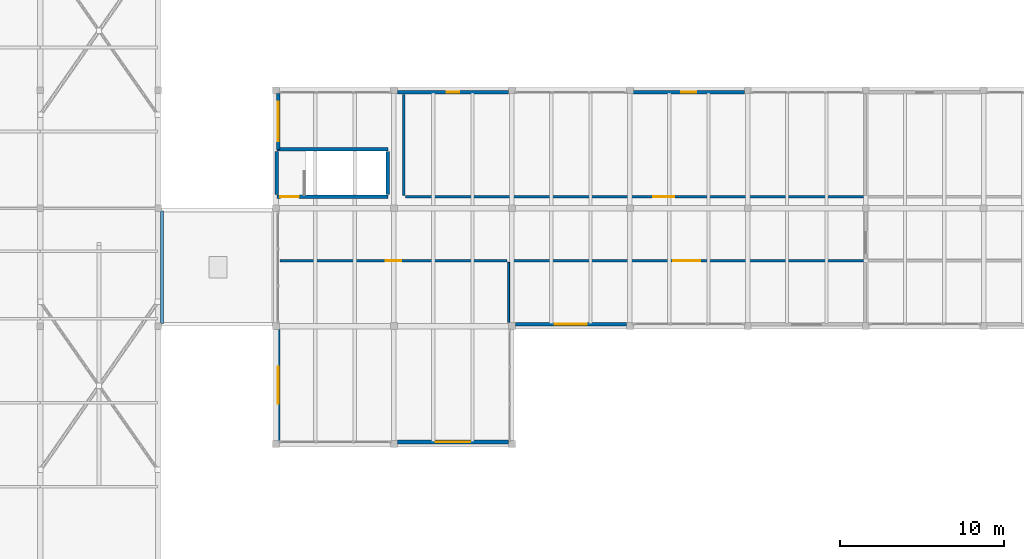
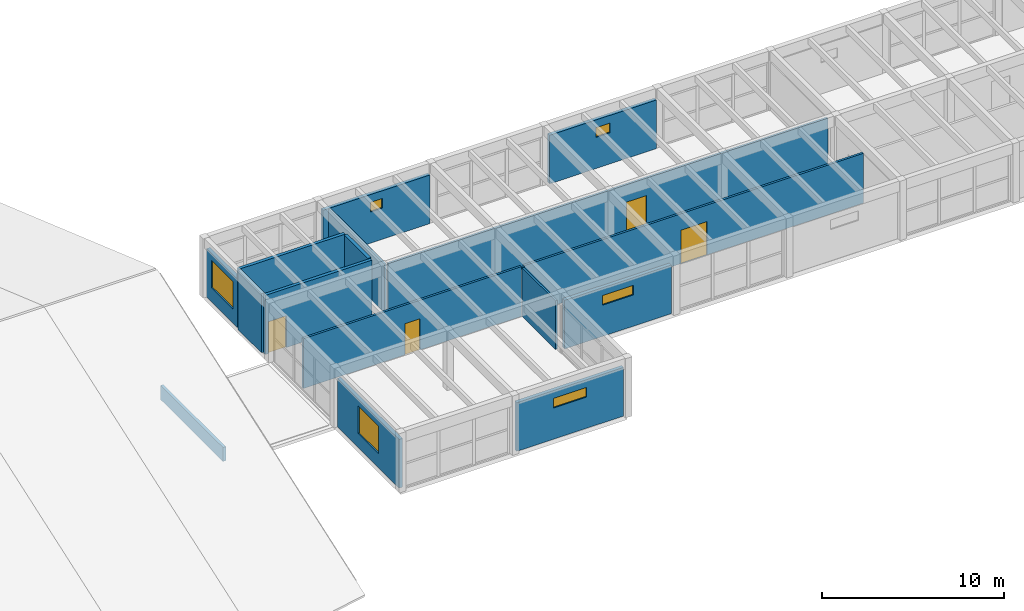
# One storey, part 55 of 68: 16 walls, 6 windows, 4 doors, 10 openings.
"""IFC4 building model written with IfcOpenShell, lengths in metres."""

from ifc_helpers import new_model, si_unit, direction, frame, frame_2d, origin, place, context, subcontext, project, spatial, rectangle, extrude, material, layer, layer_set, type_object, element, fill, save


model = new_model("IFC4")

# Units and contexts
model_context = context("Model", 3, precision=1e-05, world=origin(), true_north=direction((0.0, 1.0)))
body_context = subcontext(model_context, "Body", "Model", "MODEL_VIEW")
ifc_project = project(units=[si_unit("LENGTHUNIT", "METRE"), si_unit("AREAUNIT", "SQUARE_METRE"), si_unit("VOLUMEUNIT", "CUBIC_METRE"), si_unit("PLANEANGLEUNIT", "RADIAN"), si_unit("MASSUNIT", "GRAM", prefix="KILO")], contexts=[model_context])

# Site, building, storey
site_placement = place(None, origin())
site = spatial("IfcSite", under=ifc_project, at=site_placement, CompositionType="ELEMENT")
building_placement = place(site_placement, origin())
building = spatial("IfcBuilding", under=site, at=building_placement, Name="Bramvelor Terrace Health Centre", CompositionType="ELEMENT")
storey_placement = place(building_placement, frame((0.0, 0.0, 9.300048828125)))
storey = spatial("IfcBuildingStorey", under=building, at=storey_placement, Name="L03", CompositionType="ELEMENT", Elevation=9.300048828125)

# Walls
ifc_material_1 = material(Name="Acoustic clinical partition board", Category="gypsum")
ifc_layer_1 = layer(ifc_material_1, 0.1201171875)
ifc_layer_set_1 = layer_set([ifc_layer_1], Name="Acoustic clinical partition board")
wall_type_1 = type_object("IfcWallType", Name="WL-CLN-120", PredefinedType="PARTITIONING", material=ifc_layer_set_1)
wall_1_placement = place(storey_placement, frame((115.0, 54.300048828125, 0.0), z_axis=(0.0, 0.0, 1.0), x_axis=(0.0, -1.0, 0.0)))
element("IfcWall", 1, at=wall_1_placement, inside=storey, type_object=wall_type_1, Name="L03 Interior Partition 245", PredefinedType="PARTITIONING", context=body_context, shape_type="SweptSolid", body=[
    extrude(rectangle(XDim=3.670654296875, YDim=0.1201171875, at=frame_2d((1.83544921875, 0.0))), origin(), (0.0, 0.0, 1.0), 3.27001953125),
])
ifc_material_2 = material(Name="Acoustic clinical partition board", Category="gypsum")
ifc_layer_2 = layer(ifc_material_2, 0.1298828125)
ifc_layer_set_2 = layer_set([ifc_layer_2], Name="Acoustic clinical partition board")
wall_type_2 = type_object("IfcWallType", Name="WL-CLN-130", PredefinedType="PARTITIONING", material=ifc_layer_set_2)
wall_2_placement = place(storey_placement, frame((108.60009765625, 58.39208984375, 0.0), z_axis=(0.0, 0.0, 1.0), x_axis=(0.0, 1.0, 0.0)))
element("IfcWall", 2, at=wall_2_placement, inside=storey, type_object=wall_type_2, Name="L03 Interior Partition 250", PredefinedType="PARTITIONING", context=body_context, shape_type="SweptSolid", body=[
    extrude(rectangle(XDim=6.157958984375, YDim=0.1298828125, at=frame_2d((3.0791015625, 0.0))), origin(), (0.0, 0.0, 1.0), 3.27001953125),
])

# Wall, opening, door
ifc_material_3 = material(Name="Fire-rated gypsum and mineral wool", Category="gypsum")
ifc_layer_3 = layer(ifc_material_3, 0.139892578125)
ifc_layer_set_3 = layer_set([ifc_layer_3], Name="Fire-rated gypsum and mineral wool")
wall_type_3 = type_object("IfcWallType", Name="WL-COR-140", PredefinedType="PARTITIONING", material=ifc_layer_set_3)
wall_3_placement = place(storey_placement, frame((101.030029296875, 54.389892578125, 0.0), z_axis=(0.0, 0.0, 1.0), x_axis=(1.0, 0.0, 0.0)))
wall_3 = element("IfcWall", 3, at=wall_3_placement, inside=storey, type_object=wall_type_3, Name="L03 Interior Partition 244", PredefinedType="PARTITIONING", context=body_context, shape_type="SweptSolid", body=[
    extrude(rectangle(XDim=13.8798828125, YDim=0.139892578125, at=frame_2d((6.93994140625, 0.0))), origin(), (0.0, 0.0, 1.0), 3.349853515625),
])
opening_1_placement = place(wall_3_placement, frame((6.469970703125, 0.0, 0.0)))
opening_1 = element("IfcOpeningElement", 4, at=opening_1_placement, cuts=wall_3, Name="Opening FD-08", PredefinedType="OPENING", context=body_context, shape_type="SweptSolid", body=[
    extrude(rectangle(XDim=0.93994140625, YDim=2.10009765625, at=frame_2d((0.469970703125, 1.050048828125))), frame((0.0, 0.079833984375, 0.0), z_axis=(0.0, -1.0, 0.0), x_axis=(1.0, 0.0, 0.0)), (0.0, 0.0, 1.0), 0.159912109375),
])
ifc_material_4 = material(Name="Fire-rated steel and vision panel", Category="steel")
door_type_1 = type_object("IfcDoorType", Name="DR-FD60-094", OperationType="NOTDEFINED", PredefinedType="DOOR", material=ifc_material_4)
door_1_placement = place(opening_1_placement, origin())
door_1 = element("IfcDoor", 5, at=door_1_placement, inside=storey, type_object=door_type_1, Name="L03 Day Surgery Operating Theatre OR-1 Fire Door", OperationType="SINGLE_SWING_RIGHT", OverallHeight=2.10009765625, OverallWidth=0.93994140625, PredefinedType="DOOR", context=body_context, shape_type="SweptSolid", body=[
    extrude(rectangle(XDim=0.93994140625, YDim=2.10009765625, at=frame_2d((0.469970703125, 1.050048828125))), frame((0.0, 0.02490234375, 0.0), z_axis=(0.0, -1.0, 0.0), x_axis=(1.0, 0.0, 0.0)), (0.0, 0.0, 1.0), 0.050048828125),
])
fill(opening_1, door_1)

wall_4_placement = place(storey_placement, frame((115.10009765625, 54.389892578125, 0.0), z_axis=(0.0, 0.0, 1.0), x_axis=(1.0, 0.0, 0.0)))
wall_4 = element("IfcWall", 6, at=wall_4_placement, inside=storey, type_object=wall_type_3, Name="L03 Interior Partition 246", PredefinedType="PARTITIONING", context=body_context, shape_type="SweptSolid", body=[
    extrude(rectangle(XDim=21.559814453125, YDim=0.139892578125, at=frame_2d((10.77978515625, 0.0))), origin(), (0.0, 0.0, 1.0), 3.349853515625),
])
opening_2_placement = place(wall_4_placement, frame((9.9599609375, 0.0, 0.0)))
opening_2 = element("IfcOpeningElement", 7, at=opening_2_placement, cuts=wall_4, Name="Opening FD-09", PredefinedType="OPENING", context=body_context, shape_type="SweptSolid", body=[
    extrude(rectangle(XDim=1.639892578125, YDim=2.239990234375, at=frame_2d((0.81982421875, 1.1201171875))), frame((0.0, 0.079833984375, 0.0), z_axis=(0.0, -1.0, 0.0), x_axis=(1.0, 0.0, 0.0)), (0.0, 0.0, 1.0), 0.159912109375),
])
ifc_material_5 = material(Name="Fire-rated steel and vision panel", Category="steel")
door_type_2 = type_object("IfcDoorType", Name="DR-FD60-164", OperationType="DOUBLE_DOOR_SINGLE_SWING", PredefinedType="DOOR", material=ifc_material_5)
door_2_placement = place(opening_2_placement, origin())
door_2 = element("IfcDoor", 8, at=door_2_placement, inside=storey, type_object=door_type_2, Name="L03 Day Surgery Operating Theatre OR-2 Fire Door", OperationType="DOUBLE_DOOR_SINGLE_SWING", OverallHeight=2.239990234375, OverallWidth=1.639892578125, PredefinedType="DOOR", context=body_context, shape_type="SweptSolid", body=[
    extrude(rectangle(XDim=1.639892578125, YDim=2.239990234375, at=frame_2d((0.81982421875, 1.1201171875))), frame((0.0, 0.02490234375, 0.0), z_axis=(0.0, -1.0, 0.0), x_axis=(1.0, 0.0, 0.0)), (0.0, 0.0, 1.0), 0.050048828125),
])
fill(opening_2, door_2)

wall_5_placement = place(storey_placement, frame((136.659912109375, 58.302001953125, 0.0), z_axis=(0.0, 0.0, 1.0), x_axis=(-1.0, 0.0, 0.0)))
wall_5 = element("IfcWall", 9, at=wall_5_placement, inside=storey, type_object=wall_type_3, Name="L03 Interior Partition 249", PredefinedType="PARTITIONING", context=body_context, shape_type="SweptSolid", body=[
    extrude(rectangle(XDim=27.969970703125, YDim=0.139892578125, at=frame_2d((13.98486328125, 0.0))), origin(), (0.0, 0.0, 1.0), 3.349853515625),
])
opening_3_placement = place(wall_5_placement, frame((11.544921875, 0.0, 0.0)))
opening_3 = element("IfcOpeningElement", 10, at=opening_3_placement, cuts=wall_5, Name="Opening FD-01", PredefinedType="OPENING", context=body_context, shape_type="SweptSolid", body=[
    extrude(rectangle(XDim=1.280029296875, YDim=2.179931640625, at=frame_2d((0.64013671875, 1.08984375))), frame((0.0, 0.079833984375, 0.0), z_axis=(0.0, -1.0, 0.0), x_axis=(1.0, 0.0, 0.0)), (0.0, 0.0, 1.0), 0.159912109375),
])
ifc_material_6 = material(Name="Fire-rated steel and vision panel", Category="steel")
door_type_3 = type_object("IfcDoorType", Name="DR-FD90-128", OperationType="NOTDEFINED", PredefinedType="DOOR", material=ifc_material_6)
door_3_placement = place(opening_3_placement, origin())
door_3 = element("IfcDoor", 11, at=door_3_placement, inside=storey, type_object=door_type_3, Name="L03 Stage-1 Post-Anaesthesia Care Unit PACU West Fire Door", OperationType="SINGLE_SWING_RIGHT", OverallHeight=2.179931640625, OverallWidth=1.280029296875, PredefinedType="DOOR", context=body_context, shape_type="SweptSolid", body=[
    extrude(rectangle(XDim=1.280029296875, YDim=2.179931640625, at=frame_2d((0.64013671875, 1.08984375))), frame((0.0, 0.02490234375, 0.0), z_axis=(0.0, -1.0, 0.0), x_axis=(1.0, 0.0, 0.0)), (0.0, 0.0, 1.0), 0.050048828125),
])
fill(opening_3, door_3)

ifc_material_7 = material(Name="Concrete C40/50", Category="concrete")
ifc_layer_4 = layer(ifc_material_7, 0.199951171875)
ifc_layer_set_4 = layer_set([ifc_layer_4], Name="Concrete C40/50")
wall_type_4 = type_object("IfcWallType", Name="WL-CORE-200", PredefinedType="SHEAR", material=ifc_layer_set_4)
wall_6_placement = place(storey_placement, frame((100.85009765625, 58.300048828125, 0.0), z_axis=(0.0, 0.0, 1.0), x_axis=(1.0, 0.0, 0.0)))
wall_6 = element("IfcWall", 12, at=wall_6_placement, inside=storey, type_object=wall_type_4, Name="ST-5 L03 Stair Shaft Wall", PredefinedType="SHEAR", context=body_context, shape_type="SweptSolid", body=[
    extrude(rectangle(XDim=6.77490234375, YDim=0.199951171875, at=frame_2d((3.387451171875, 0.0))), origin(), (0.0, 0.0, 1.0), 3.974853515625),
])
opening_4_placement = place(wall_6_placement, frame((0.219970703125, 0.0, 0.0)))
opening_4 = element("IfcOpeningElement", 13, at=opening_4_placement, cuts=wall_6, Name="Opening FD-06", PredefinedType="OPENING", context=body_context, shape_type="SweptSolid", body=[
    extrude(rectangle(XDim=1.1201171875, YDim=2.139892578125, at=frame_2d((0.56005859375, 1.06982421875))), frame((0.0, 0.10986328125, 0.0), z_axis=(0.0, -1.0, 0.0), x_axis=(1.0, 0.0, 0.0)), (0.0, 0.0, 1.0), 0.219970703125),
])
ifc_material_8 = material(Name="Fire-rated steel and vision panel", Category="steel")
door_type_4 = type_object("IfcDoorType", Name="DR-FD60-112", OperationType="NOTDEFINED", PredefinedType="DOOR", material=ifc_material_8)
door_4_placement = place(opening_4_placement, origin())
door_4 = element("IfcDoor", 14, at=door_4_placement, inside=storey, type_object=door_type_4, Name="ST-5 L03 Exit Stair Fire Door", OperationType="SINGLE_SWING_LEFT", OverallHeight=2.139892578125, OverallWidth=1.1201171875, PredefinedType="DOOR", context=body_context, shape_type="SweptSolid", body=[
    extrude(rectangle(XDim=1.1201171875, YDim=2.139892578125, at=frame_2d((0.56005859375, 1.06982421875))), frame((0.0, 0.02490234375, 0.0), z_axis=(0.0, -1.0, 0.0), x_axis=(1.0, 0.0, 0.0)), (0.0, 0.0, 1.0), 0.050048828125),
])
fill(opening_4, door_4)

# Walls
wall_7_placement = place(storey_placement, frame((100.85009765625, 61.199951171875, 0.0), z_axis=(0.0, 0.0, 1.0), x_axis=(1.0, 0.0, 0.0)))
element("IfcWall", 15, at=wall_7_placement, inside=storey, type_object=wall_type_4, Name="ST-5 L03 Stair Shaft Wall", PredefinedType="SHEAR", context=body_context, shape_type="SweptSolid", body=[
    extrude(rectangle(XDim=6.77490234375, YDim=0.199951171875, at=frame_2d((3.387451171875, 0.0))), origin(), (0.0, 0.0, 1.0), 3.974853515625),
])
for number, where, z_axis, x_axis, name in (
    (16, (100.85009765625, 58.449951171875, 0.0), (0.0, 0.0, 1.0), (0.0, 1.0, 0.0), "ST-5 L03 Stair Shaft Wall"),
    (17, (107.625, 58.449951171875, 0.0), (0.0, 0.0, 1.0), (0.0, 1.0, 0.0), "ST-5 L03 Stair Shaft Wall"),
):
    element("IfcWall", number, at=place(storey_placement, frame(where, z_axis=z_axis, x_axis=x_axis)), inside=storey, type_object=wall_type_4, Name=name, PredefinedType="SHEAR", context=body_context, shape_type="SweptSolid", body=[
        extrude(rectangle(XDim=2.60009765625, YDim=0.199951171875, at=frame_2d((1.300048828125, 0.0))), origin(), (0.0, 0.0, 1.0), 3.974853515625),
    ])

# Wall, opening, window
ifc_material_9 = material(Name="Cross-laminated timber C24", Category="wood")
ifc_layer_5 = layer(ifc_material_9, 0.219970703125)
ifc_layer_set_5 = layer_set([ifc_layer_5], Name="Cross-laminated timber C24")
wall_type_5 = type_object("IfcWallType", Name="WL-EXT-CLT220", PredefinedType="SOLIDWALL", material=ifc_layer_set_5)
wall_8_placement = place(storey_placement, frame((100.929931640625, 43.405029296875, 0.0), z_axis=(0.0, 0.0, 1.0), x_axis=(0.0, 1.0, 0.0)))
wall_8 = element("IfcWall", 18, at=wall_8_placement, inside=storey, type_object=wall_type_5, Name="L03 Exterior Facade Wall 17", PredefinedType="SOLIDWALL", context=body_context, shape_type="SweptSolid", body=[
    extrude(rectangle(XDim=6.7900390625, YDim=0.219970703125, at=frame_2d((3.39501953125, 0.0))), origin(), (0.0, 0.0, 1.0), 3.27001953125),
])
opening_5_placement = place(wall_8_placement, frame((2.27001953125, 0.0, 0.949951171875)))
opening_5 = element("IfcOpeningElement", 19, at=opening_5_placement, cuts=wall_8, Name="Opening WN-59", PredefinedType="OPENING", context=body_context, shape_type="SweptSolid", body=[
    extrude(rectangle(XDim=2.25, YDim=1.85009765625, at=frame_2d((1.125, 0.925048828125))), frame((0.0, 0.119873046875, 0.0), z_axis=(0.0, -1.0, 0.0), x_axis=(1.0, 0.0, 0.0)), (0.0, 0.0, 1.0), 0.239990234375),
])
ifc_material_10 = material(Name="Double low-E laminated glass", Category="glass")
window_type_1 = type_object("IfcWindowType", Name="WIN-EXT-59", PartitioningType="SINGLE_PANEL", PredefinedType="WINDOW", material=ifc_material_10)
window_1_placement = place(opening_5_placement, origin())
window_1 = element("IfcWindow", 20, at=window_1_placement, inside=storey, type_object=window_type_1, Name="L03 Scheduled Clinical Window 119", OverallHeight=1.85009765625, OverallWidth=2.25, PartitioningType="SINGLE_PANEL", PredefinedType="WINDOW", context=body_context, shape_type="SweptSolid", body=[
    extrude(rectangle(XDim=2.25, YDim=1.85009765625, at=frame_2d((1.125, 0.925048828125))), frame((0.0, 0.030029296875, 0.0), z_axis=(0.0, -1.0, 0.0), x_axis=(1.0, 0.0, 0.0)), (0.0, 0.0, 1.0), 0.06005859375),
])
fill(opening_5, window_1)

wall_9_placement = place(storey_placement, frame((100.929931640625, 61.199951171875, 0.0), z_axis=(0.0, 0.0, 1.0), x_axis=(0.0, 1.0, 0.0)))
wall_9 = element("IfcWall", 21, at=wall_9_placement, inside=storey, type_object=wall_type_5, Name="L03 Exterior Facade Wall 19", PredefinedType="SOLIDWALL", context=body_context, shape_type="SweptSolid", body=[
    extrude(rectangle(XDim=3.39501953125, YDim=0.219970703125, at=frame_2d((1.697509765625, 0.0))), origin(), (0.0, 0.0, 1.0), 3.27001953125),
])
opening_6_placement = place(wall_9_placement, frame((0.49755859375, 0.0, 0.949951171875)))
opening_6 = element("IfcOpeningElement", 22, at=opening_6_placement, cuts=wall_9, Name="Opening WN-60", PredefinedType="OPENING", context=body_context, shape_type="SweptSolid", body=[
    extrude(rectangle(XDim=2.39990234375, YDim=1.85009765625, at=frame_2d((1.199951171875, 0.925048828125))), frame((0.0, 0.119873046875, 0.0), z_axis=(0.0, -1.0, 0.0), x_axis=(1.0, 0.0, 0.0)), (0.0, 0.0, 1.0), 0.239990234375),
])
ifc_material_11 = material(Name="Double low-E laminated glass", Category="glass")
window_type_2 = type_object("IfcWindowType", Name="WIN-EXT-60", PartitioningType="SINGLE_PANEL", PredefinedType="WINDOW", material=ifc_material_11)
window_2_placement = place(opening_6_placement, origin())
window_2 = element("IfcWindow", 23, at=window_2_placement, inside=storey, type_object=window_type_2, Name="L03 Scheduled Clinical Window 120", OverallHeight=1.85009765625, OverallWidth=2.39990234375, PartitioningType="SINGLE_PANEL", PredefinedType="WINDOW", context=body_context, shape_type="SweptSolid", body=[
    extrude(rectangle(XDim=2.39990234375, YDim=1.85009765625, at=frame_2d((1.199951171875, 0.925048828125))), frame((0.0, 0.030029296875, 0.0), z_axis=(0.0, -1.0, 0.0), x_axis=(1.0, 0.0, 0.0)), (0.0, 0.0, 1.0), 0.06005859375),
])
fill(opening_6, window_2)

wall_10_placement = place(storey_placement, frame((108.205078125, 64.669921875, 0.0), z_axis=(0.0, 0.0, 1.0), x_axis=(1.0, 0.0, 0.0)))
wall_10 = element("IfcWall", 24, at=wall_10_placement, inside=storey, type_object=wall_type_5, Name="L03 Exterior Facade Wall 21", PredefinedType="SOLIDWALL", context=body_context, shape_type="SweptSolid", body=[
    extrude(rectangle(XDim=6.7900390625, YDim=0.219970703125, at=frame_2d((3.39501953125, 0.0))), origin(), (0.0, 0.0, 1.0), 3.27001953125),
])
opening_7_placement = place(wall_10_placement, frame((3.02001953125, 0.0, 2.10009765625)))
opening_7 = element("IfcOpeningElement", 25, at=opening_7_placement, cuts=wall_10, Name="Opening WN-01", PredefinedType="OPENING", context=body_context, shape_type="SweptSolid", body=[
    extrude(rectangle(XDim=0.75, YDim=0.64990234375, at=frame_2d((0.375, 0.324951171875))), frame((0.0, 0.119873046875, 0.0), z_axis=(0.0, -1.0, 0.0), x_axis=(1.0, 0.0, 0.0)), (0.0, 0.0, 1.0), 0.239990234375),
])
ifc_material_12 = material(Name="Double low-E laminated glass", Category="glass")
window_type_3 = type_object("IfcWindowType", Name="WIN-EXT-01", PartitioningType="SINGLE_PANEL", PredefinedType="WINDOW", material=ifc_material_12)
window_3_placement = place(opening_7_placement, origin())
window_3 = element("IfcWindow", 26, at=window_3_placement, inside=storey, type_object=window_type_3, Name="L03 Scheduled Clinical Window 121", OverallHeight=0.64990234375, OverallWidth=0.75, PartitioningType="SINGLE_PANEL", PredefinedType="WINDOW", context=body_context, shape_type="SweptSolid", body=[
    extrude(rectangle(XDim=0.75, YDim=0.64990234375, at=frame_2d((0.375, 0.324951171875))), frame((0.0, 0.030029296875, 0.0), z_axis=(0.0, -1.0, 0.0), x_axis=(1.0, 0.0, 0.0)), (0.0, 0.0, 1.0), 0.06005859375),
])
fill(opening_7, window_3)

wall_11_placement = place(storey_placement, frame((122.60498046875, 64.669921875, 0.0), z_axis=(0.0, 0.0, 1.0), x_axis=(1.0, 0.0, 0.0)))
wall_11 = element("IfcWall", 27, at=wall_11_placement, inside=storey, type_object=wall_type_5, Name="L03 Exterior Facade Wall 23", PredefinedType="SOLIDWALL", context=body_context, shape_type="SweptSolid", body=[
    extrude(rectangle(XDim=6.7900390625, YDim=0.219970703125, at=frame_2d((3.39501953125, 0.0))), origin(), (0.0, 0.0, 1.0), 3.27001953125),
])
opening_8_placement = place(wall_11_placement, frame((2.945068359375, 0.0, 2.10009765625)))
opening_8 = element("IfcOpeningElement", 28, at=opening_8_placement, cuts=wall_11, Name="Opening WN-02", PredefinedType="OPENING", context=body_context, shape_type="SweptSolid", body=[
    extrude(rectangle(XDim=0.89990234375, YDim=0.64990234375, at=frame_2d((0.449951171875, 0.324951171875))), frame((0.0, 0.119873046875, 0.0), z_axis=(0.0, -1.0, 0.0), x_axis=(1.0, 0.0, 0.0)), (0.0, 0.0, 1.0), 0.239990234375),
])
ifc_material_13 = material(Name="Double low-E laminated glass", Category="glass")
window_type_4 = type_object("IfcWindowType", Name="WIN-EXT-02", PartitioningType="SINGLE_PANEL", PredefinedType="WINDOW", material=ifc_material_13)
window_4_placement = place(opening_8_placement, origin())
window_4 = element("IfcWindow", 29, at=window_4_placement, inside=storey, type_object=window_type_4, Name="L03 Scheduled Clinical Window 122", OverallHeight=0.64990234375, OverallWidth=0.89990234375, PartitioningType="SINGLE_PANEL", PredefinedType="WINDOW", context=body_context, shape_type="SweptSolid", body=[
    extrude(rectangle(XDim=0.89990234375, YDim=0.64990234375, at=frame_2d((0.449951171875, 0.324951171875))), frame((0.0, 0.030029296875, 0.0), z_axis=(0.0, -1.0, 0.0), x_axis=(1.0, 0.0, 0.0)), (0.0, 0.0, 1.0), 0.06005859375),
])
fill(opening_8, window_4)

wall_12_placement = place(storey_placement, frame((122.195068359375, 50.530029296875, 0.0), z_axis=(0.0, 0.0, 1.0), x_axis=(-1.0, 0.0, 0.0)))
wall_12 = element("IfcWall", 30, at=wall_12_placement, inside=storey, type_object=wall_type_5, Name="L03 Exterior Facade Wall 39", PredefinedType="SOLIDWALL", context=body_context, shape_type="SweptSolid", body=[
    extrude(rectangle(XDim=6.7900390625, YDim=0.219970703125, at=frame_2d((3.39501953125, 0.0))), origin(), (0.0, 0.0, 1.0), 3.27001953125),
])
opening_9_placement = place(wall_12_placement, frame((2.419921875, 0.0, 2.10009765625)))
opening_9 = element("IfcOpeningElement", 31, at=opening_9_placement, cuts=wall_12, Name="Opening WN-09", PredefinedType="OPENING", context=body_context, shape_type="SweptSolid", body=[
    extrude(rectangle(XDim=1.949951171875, YDim=0.64990234375, at=frame_2d((0.97509765625, 0.324951171875))), frame((0.0, 0.119873046875, 0.0), z_axis=(0.0, -1.0, 0.0), x_axis=(1.0, 0.0, 0.0)), (0.0, 0.0, 1.0), 0.239990234375),
])
ifc_material_14 = material(Name="Double low-E laminated glass", Category="glass")
window_type_5 = type_object("IfcWindowType", Name="WIN-EXT-09", PartitioningType="SINGLE_PANEL", PredefinedType="WINDOW", material=ifc_material_14)
window_5_placement = place(opening_9_placement, origin())
window_5 = element("IfcWindow", 32, at=window_5_placement, inside=storey, type_object=window_type_5, Name="L03 Scheduled Clinical Window 129", OverallHeight=0.64990234375, OverallWidth=1.949951171875, PartitioningType="SINGLE_PANEL", PredefinedType="WINDOW", context=body_context, shape_type="SweptSolid", body=[
    extrude(rectangle(XDim=1.949951171875, YDim=0.64990234375, at=frame_2d((0.97509765625, 0.324951171875))), frame((0.0, 0.030029296875, 0.0), z_axis=(0.0, -1.0, 0.0), x_axis=(1.0, 0.0, 0.0)), (0.0, 0.0, 1.0), 0.06005859375),
])
fill(opening_9, window_5)

wall_13_placement = place(storey_placement, frame((114.9951171875, 43.330078125, 0.0), z_axis=(0.0, 0.0, 1.0), x_axis=(-1.0, 0.0, 0.0)))
wall_13 = element("IfcWall", 33, at=wall_13_placement, inside=storey, type_object=wall_type_5, Name="L03 Exterior Facade Wall 41", PredefinedType="SOLIDWALL", context=body_context, shape_type="SweptSolid", body=[
    extrude(rectangle(XDim=6.7900390625, YDim=0.219970703125, at=frame_2d((3.39501953125, 0.0))), origin(), (0.0, 0.0, 1.0), 3.27001953125),
])
opening_10_placement = place(wall_13_placement, frame((2.344970703125, 0.0, 2.10009765625)))
opening_10 = element("IfcOpeningElement", 34, at=opening_10_placement, cuts=wall_13, Name="Opening WN-10", PredefinedType="OPENING", context=body_context, shape_type="SweptSolid", body=[
    extrude(rectangle(XDim=2.10009765625, YDim=0.64990234375, at=frame_2d((1.050048828125, 0.324951171875))), frame((0.0, 0.119873046875, 0.0), z_axis=(0.0, -1.0, 0.0), x_axis=(1.0, 0.0, 0.0)), (0.0, 0.0, 1.0), 0.239990234375),
])
ifc_material_15 = material(Name="Double low-E laminated glass", Category="glass")
window_type_6 = type_object("IfcWindowType", Name="WIN-EXT-10", PartitioningType="SINGLE_PANEL", PredefinedType="WINDOW", material=ifc_material_15)
window_6_placement = place(opening_10_placement, origin())
window_6 = element("IfcWindow", 35, at=window_6_placement, inside=storey, type_object=window_type_6, Name="L03 Scheduled Clinical Window 130", OverallHeight=0.64990234375, OverallWidth=2.10009765625, PartitioningType="SINGLE_PANEL", PredefinedType="WINDOW", context=body_context, shape_type="SweptSolid", body=[
    extrude(rectangle(XDim=2.10009765625, YDim=0.64990234375, at=frame_2d((1.050048828125, 0.324951171875))), frame((0.0, 0.030029296875, 0.0), z_axis=(0.0, -1.0, 0.0), x_axis=(1.0, 0.0, 0.0)), (0.0, 0.0, 1.0), 0.06005859375),
])
fill(opening_10, window_6)

# Wall
ifc_material_16 = material(Name="Precast concrete C40/50", Category="concrete")
ifc_layer_6 = layer(ifc_material_16, 0.175048828125)
ifc_layer_set_6 = layer_set([ifc_layer_6], Name="Precast concrete C40/50")
wall_type_6 = type_object("IfcWallType", Name="WL-PAR-175", PredefinedType="PARAPET", material=ifc_layer_set_6)
wall_14_placement = place(storey_placement, frame((93.840087890625, 50.56005859375, -0.080078125), z_axis=(0.0, 0.0, 1.0), x_axis=(0.0, 1.0, 0.0)))
element("IfcWall", 36, at=wall_14_placement, inside=storey, type_object=wall_type_6, Name="L03 Roof Parapet Upstand 2", PredefinedType="PARAPET", context=body_context, shape_type="SweptSolid", body=[
    extrude(rectangle(XDim=6.8798828125, YDim=0.175048828125, at=frame_2d((3.43994140625, 0.0))), origin(), (0.0, 0.0, 1.0), 0.949951171875),
])

save(model, "model.ifc")
